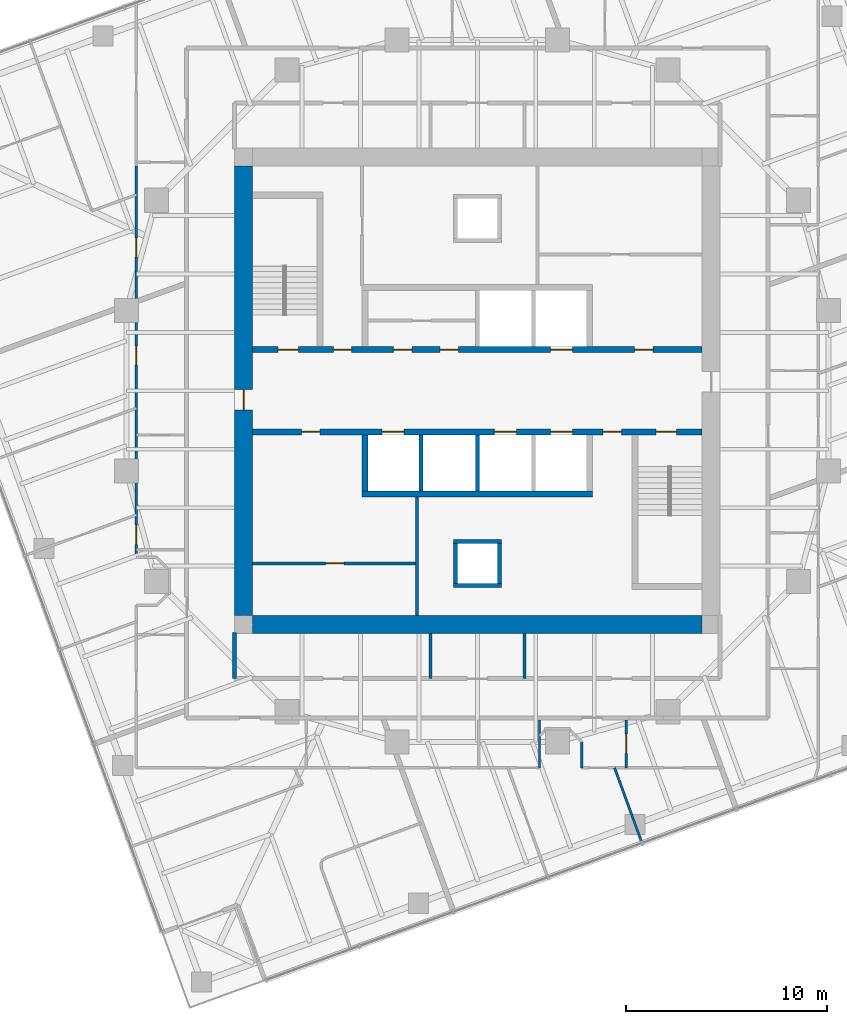
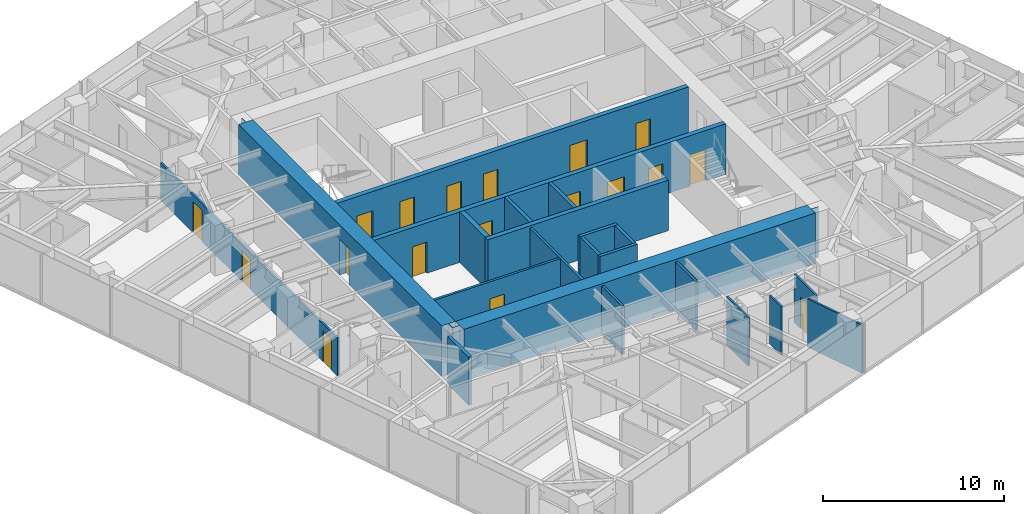
# One storey, part 8 of 13: 22 walls, 18 doors, 18 openings.
"""IFC4 building model written with IfcOpenShell, lengths in metres."""

import ifcopenshell
import ifcopenshell.guid

model = None  # the IFC model being written
_history = None  # IfcOwnerHistory: only IFC2X3 demands one
_inside = {}  # id of a spatial element -> (the spatial element, [elements in it])
_under = {}  # id of a project, library or spatial element -> (it, [spatial elements below it])
_declared = {}  # id of a project -> (the project, [libraries it declares])
_typed = {}  # id of a type object -> (the type object, [elements of that type])
_made_of = {}  # id of a material, layer set ... -> (it, [elements and type objects made of it])


def new_model(schema):
    """Start an empty IFC model of exactly this schema.

    Asked for "IFC4X3", IfcOpenShell would pick the latest addendum, in which some entities
    have other attributes; the version numbers below select the first issue.
    IFC2X3 requires an IfcOwnerHistory on every rooted entity: one is made here for all.
    """
    global model, _history
    if schema == "IFC4X3":
        model = ifcopenshell.file(schema_version=(4, 3, 0, 0))
    else:
        model = ifcopenshell.file(schema=schema)
    _inside.clear()
    _under.clear()
    _declared.clear()
    _typed.clear()
    _made_of.clear()
    _history = None
    if model.schema == "IFC2X3":
        org = make("IfcOrganization", Name="unknown")
        user = make(
            "IfcPersonAndOrganization",
            ThePerson=make("IfcPerson", FamilyName="unknown"),
            TheOrganization=org,
        )
        app = make(
            "IfcApplication",
            ApplicationDeveloper=org,
            Version="unknown",
            ApplicationFullName="unknown",
            ApplicationIdentifier="unknown",
        )
        _history = make(
            "IfcOwnerHistory",
            OwningUser=user,
            OwningApplication=app,
            ChangeAction="ADDED",
            CreationDate=0,
        )
    return model


def make(cls, **values):
    """One entity of the class cls with the attributes given. An attribute that is None is left unset."""
    return model.create_entity(
        cls, **{name: value for name, value in values.items() if value is not None}
    )


def rooted(cls, **values):
    """An entity with a GlobalId (a new one), such as an element, a storey or a relation."""
    return make(cls, GlobalId=ifcopenshell.guid.new(), OwnerHistory=_history, **values)


def si_unit(unit_type, name, prefix=None):
    """IfcSIUnit, for example si_unit("LENGTHUNIT", "METRE", prefix="MILLI")."""
    return make("IfcSIUnit", UnitType=unit_type, Prefix=prefix, Name=name)


def assignment(units):
    """IfcUnitAssignment: the units of a project."""
    return None if units is None else make("IfcUnitAssignment", Units=units)


def point(xyz):
    """IfcCartesianPoint."""
    return None if xyz is None else make("IfcCartesianPoint", Coordinates=xyz)


def direction(xyz):
    """IfcDirection."""
    return None if xyz is None else make("IfcDirection", DirectionRatios=xyz)


def frame(location, z_axis=None, x_axis=None):
    """IfcAxis2Placement3D, a coordinate frame: its origin and axes. An axis left out is left unset."""
    return make(
        "IfcAxis2Placement3D",
        Location=point(location),
        Axis=direction(z_axis),
        RefDirection=direction(x_axis),
    )


def frame_2d(location, x_axis=None):
    """IfcAxis2Placement2D, a coordinate frame in the plane: its origin and x axis."""
    return make(
        "IfcAxis2Placement2D", Location=point(location), RefDirection=direction(x_axis)
    )


def origin():
    """The frame at (0, 0, 0) with its axes left unset."""
    return frame((0.0, 0.0, 0.0))


def place(relative_to, where):
    """IfcLocalPlacement: puts the frame where relative to a parent placement (None: the world)."""
    return make(
        "IfcLocalPlacement", PlacementRelTo=relative_to, RelativePlacement=where
    )


def context(
    kind, dimensions, precision=None, world=None, true_north=None, identifier=None
):
    """IfcGeometricRepresentationContext, for example the 3D "Model" context."""
    return make(
        "IfcGeometricRepresentationContext",
        ContextIdentifier=identifier,
        ContextType=kind,
        CoordinateSpaceDimension=dimensions,
        Precision=precision,
        WorldCoordinateSystem=world,
        TrueNorth=true_north,
    )


def subcontext(parent, identifier, kind, view, scale=None):
    """IfcGeometricRepresentationSubContext, for example "Body" below "Model"."""
    return make(
        "IfcGeometricRepresentationSubContext",
        ContextIdentifier=identifier,
        ContextType=kind,
        ParentContext=parent,
        TargetScale=scale,
        TargetView=view,
    )


def project(units=None, contexts=None):
    """IfcProject with its units and contexts."""
    return rooted(
        "IfcProject",
        Name="project",
        RepresentationContexts=contexts,
        UnitsInContext=assignment(units),
    )


def spatial(cls, under=None, at=None, **own):
    """A site, building, storey or space (cls), placed at a placement, below another one or the project."""
    s = rooted(cls, ObjectPlacement=at, **own)
    if under is not None:
        _under.setdefault(under.id(), (under, []))[1].append(s)
    return s


def polyline(points):
    """IfcPolyline through the points."""
    return make("IfcPolyline", Points=[point(p) for p in points])


def profile(cls, at=None, kind="AREA", **sizes):
    """A parametric profile (cls). Its sizes go by their IFC names, for example OverallWidth=200.0."""
    return make(cls, ProfileType=kind, Position=at, **sizes)


def rectangle(**sizes):
    """IfcRectangleProfileDef."""
    return profile("IfcRectangleProfileDef", **sizes)


def outline(outer, holes=None, kind="AREA"):
    """IfcArbitraryClosedProfileDef: a profile drawn as a closed curve; with holes, ...WithVoids."""
    if holes is None:
        return make("IfcArbitraryClosedProfileDef", ProfileType=kind, OuterCurve=outer)
    return make(
        "IfcArbitraryProfileDefWithVoids",
        ProfileType=kind,
        OuterCurve=outer,
        InnerCurves=holes,
    )


def extrude(swept, where, along, depth):
    """IfcExtrudedAreaSolid: the profile swept, set in the frame where, extruded along a direction by depth."""
    return make(
        "IfcExtrudedAreaSolid",
        SweptArea=swept,
        Position=where,
        ExtrudedDirection=direction(along),
        Depth=depth,
    )


def shape(context_of_items, identifier, shape_type, items):
    """IfcShapeRepresentation: the items that make up one representation, for example the "Body"."""
    return make(
        "IfcShapeRepresentation",
        ContextOfItems=context_of_items,
        RepresentationIdentifier=identifier,
        RepresentationType=shape_type,
        Items=items,
    )


def material(Name=None, Category=None):
    """IfcMaterial."""
    return make("IfcMaterial", Name=Name, Category=Category)


def layer(
    of_material, thickness, ventilated=None, Name=None, Category=None, Priority=None
):
    """IfcMaterialLayer: one layer of a wall or slab, of a material (None: an air gap)."""
    return make(
        "IfcMaterialLayer",
        Material=of_material,
        LayerThickness=thickness,
        IsVentilated=ventilated,
        Name=Name,
        Category=Category,
        Priority=Priority,
    )


def layer_set(layers, Name=None):
    """IfcMaterialLayerSet."""
    return make("IfcMaterialLayerSet", MaterialLayers=layers, LayerSetName=Name)


def made_of(thing, what):
    """Note that an element or type object is made of a material, layer set ...; save() writes the relation."""
    if what is not None:
        _made_of.setdefault(what.id(), (what, []))[1].append(thing)
    return thing


def type_object(cls, material=None, **own):
    """A type object (cls), such as IfcWallType, which elements share."""
    return made_of(rooted(cls, **own), material)


def element(
    cls,
    number,
    at=None,
    inside=None,
    cuts=None,
    type_object=None,
    material=None,
    context=None,
    identifier="Body",
    shape_type=None,
    held_by="IfcProductDefinitionShape",
    body=None,
    shapes=None,
    **own,
):
    """One element of the class cls, such as IfcWall. Its Tag is "e" and its number.

    at: its placement. inside: the storey or other place that contains it. cuts: it is an
    opening in that element (IfcRelVoidsElement). A single representation is given by context,
    identifier, shape_type and body (its items); several are given by shapes. held_by: the class
    of the entity that holds the representations. save() writes the other relations.
    """
    e = rooted(cls, Tag="e%d" % number, ObjectPlacement=at, **own)
    if body is not None:
        shapes = [shape(context, identifier, shape_type, body)]
    if shapes is not None:
        e.Representation = make(held_by, Representations=shapes)
    if inside is not None:
        _inside.setdefault(inside.id(), (inside, []))[1].append(e)
    if cuts is not None:
        rooted(
            "IfcRelVoidsElement", RelatingBuildingElement=cuts, RelatedOpeningElement=e
        )
    if type_object is not None:
        _typed.setdefault(type_object.id(), (type_object, []))[1].append(e)
    return made_of(e, material)


def fill(opening, filler):
    """IfcRelFillsElement: the door or window that sits in an opening."""
    return rooted(
        "IfcRelFillsElement",
        RelatingOpeningElement=opening,
        RelatedBuildingElement=filler,
    )


def aggregate(whole, parts):
    """IfcRelAggregates: a whole, such as a stair, and the parts it consists of."""
    return rooted("IfcRelAggregates", RelatingObject=whole, RelatedObjects=parts)


def save(model, path):
    """Write the relations noted so far, then the file.

    IfcRelAggregates (storeys below a building ...), IfcRelContainedInSpatialStructure (elements
    in a storey), IfcRelDefinesByType, IfcRelAssociatesMaterial and IfcRelDeclares: one each for
    every whole, place, type object, material and project.
    """
    for whole, parts in _under.values():
        aggregate(whole, parts)
    for where, things in _inside.values():
        rooted(
            "IfcRelContainedInSpatialStructure",
            RelatedElements=things,
            RelatingStructure=where,
        )
    for kind, things in _typed.values():
        rooted("IfcRelDefinesByType", RelatedObjects=things, RelatingType=kind)
    for what, things in _made_of.values():
        rooted("IfcRelAssociatesMaterial", RelatedObjects=things, RelatingMaterial=what)
    for by, libraries in _declared.values():
        rooted("IfcRelDeclares", RelatingContext=by, RelatedDefinitions=libraries)
    model.write(path)


model = new_model("IFC4")

# Units and contexts
model_context = context("Model", 3, precision=1e-05, world=origin(), true_north=direction((0.0, 1.0)))
body_context = subcontext(model_context, "Body", "Model", "MODEL_VIEW")
ifc_project = project(units=[si_unit("LENGTHUNIT", "METRE"), si_unit("AREAUNIT", "SQUARE_METRE"), si_unit("VOLUMEUNIT", "CUBIC_METRE"), si_unit("PLANEANGLEUNIT", "RADIAN"), si_unit("MASSUNIT", "GRAM", prefix="KILO")], contexts=[model_context])

# Site, building, storey
site_placement = place(None, origin())
site = spatial("IfcSite", under=ifc_project, at=site_placement, CompositionType="ELEMENT")
building_placement = place(site_placement, origin())
building = spatial("IfcBuilding", under=site, at=building_placement, Name="Torsade Residences", CompositionType="ELEMENT")
storey_placement = place(building_placement, frame((0.0, 0.0, 160.800048828125)))
storey = spatial("IfcBuildingStorey", under=building, at=storey_placement, Name="L44", CompositionType="ELEMENT", Elevation=160.800048828125)

# Wall, openings, doors
ifc_material_1 = material(Name="Concrete 80 MPa", Category="concrete")
ifc_layer_1 = layer(ifc_material_1, 0.300048828125)
ifc_layer_set_1 = layer_set([ifc_layer_1], Name="Concrete 80 MPa")
wall_type_1 = type_object("IfcWallType", Name="CORE INTERNAL WALL 300", PredefinedType="SHEAR", material=ifc_layer_set_1)
wall_1_placement = place(storey_placement, frame((28.800048828125, 32.050048828125, 0.0), z_axis=(0.0, 0.0, 1.0), x_axis=(1.0, 0.0, 0.0)))
wall_1 = element("IfcWall", 1, at=wall_1_placement, inside=storey, type_object=wall_type_1, Name="Core wall LN L44", PredefinedType="SHEAR", context=body_context, shape_type="SweptSolid", body=[
    extrude(rectangle(XDim=22.39990234375, YDim=0.300048828125, at=frame_2d((11.199951171875, 0.0))), origin(), (0.0, 0.0, 1.0), 3.39990234375),
])
opening_1_placement = place(wall_1_placement, frame((19.0400390625, 0.0, 0.0)))
opening_1 = element("IfcOpeningElement", 2, at=opening_1_placement, cuts=wall_1, Name="Opening D06", PredefinedType="OPENING", context=body_context, shape_type="SweptSolid", body=[
    extrude(rectangle(XDim=0.919921875, YDim=2.10009765625, at=frame_2d((0.4599609375, 1.050048828125))), frame((0.0, 0.159912109375, 0.0), z_axis=(0.0, -1.0, 0.0), x_axis=(1.0, 0.0, 0.0)), (0.0, 0.0, 1.0), 0.320068359375),
])
opening_2_placement = place(wall_1_placement, frame((1.264892578125, 0.0, 0.0)))
opening_2 = element("IfcOpeningElement", 3, at=opening_2_placement, cuts=wall_1, Name="Opening D03", PredefinedType="OPENING", context=body_context, shape_type="SweptSolid", body=[
    extrude(rectangle(XDim=1.02001953125, YDim=2.10009765625, at=frame_2d((0.510009765625, 1.050048828125))), frame((0.0, 0.159912109375, 0.0), z_axis=(0.0, -1.0, 0.0), x_axis=(1.0, 0.0, 0.0)), (0.0, 0.0, 1.0), 0.320068359375),
])
opening_3_placement = place(wall_1_placement, frame((4.014892578125, 0.0, 0.0)))
opening_3 = element("IfcOpeningElement", 4, at=opening_3_placement, cuts=wall_1, Name="Opening D06", PredefinedType="OPENING", context=body_context, shape_type="SweptSolid", body=[
    extrude(rectangle(XDim=0.919921875, YDim=2.10009765625, at=frame_2d((0.4599609375, 1.050048828125))), frame((0.0, 0.159912109375, 0.0), z_axis=(0.0, -1.0, 0.0), x_axis=(1.0, 0.0, 0.0)), (0.0, 0.0, 1.0), 0.320068359375),
])
opening_4_placement = place(wall_1_placement, frame((7.014892578125, 0.0, 0.0)))
opening_4 = element("IfcOpeningElement", 5, at=opening_4_placement, cuts=wall_1, Name="Opening D06", PredefinedType="OPENING", context=body_context, shape_type="SweptSolid", body=[
    extrude(rectangle(XDim=0.919921875, YDim=2.10009765625, at=frame_2d((0.4599609375, 1.050048828125))), frame((0.0, 0.159912109375, 0.0), z_axis=(0.0, -1.0, 0.0), x_axis=(1.0, 0.0, 0.0)), (0.0, 0.0, 1.0), 0.320068359375),
])
opening_5_placement = place(wall_1_placement, frame((9.340087890625, 0.0, 0.0)))
opening_5 = element("IfcOpeningElement", 6, at=opening_5_placement, cuts=wall_1, Name="Opening D06", PredefinedType="OPENING", context=body_context, shape_type="SweptSolid", body=[
    extrude(rectangle(XDim=0.919921875, YDim=2.10009765625, at=frame_2d((0.4599609375, 1.050048828125))), frame((0.0, 0.159912109375, 0.0), z_axis=(0.0, -1.0, 0.0), x_axis=(1.0, 0.0, 0.0)), (0.0, 0.0, 1.0), 0.320068359375),
])
opening_6_placement = place(wall_1_placement, frame((14.85009765625, 0.0, 0.0)))
opening_6 = element("IfcOpeningElement", 7, at=opening_6_placement, cuts=wall_1, Name="Opening LD", PredefinedType="OPENING", context=body_context, shape_type="SweptSolid", body=[
    extrude(rectangle(XDim=1.10009765625, YDim=2.10009765625, at=frame_2d((0.550048828125, 1.050048828125))), frame((0.0, 0.159912109375, 0.0), z_axis=(0.0, -1.0, 0.0), x_axis=(1.0, 0.0, 0.0)), (0.0, 0.0, 1.0), 0.320068359375),
])
ifc_material_2 = material(Name="Steel-framed fire door", Category="steel")
door_type_1 = type_object("IfcDoorType", Name="FIRE DOOR 1020", OperationType="NOTDEFINED", PredefinedType="DOOR", material=ifc_material_2)
door_1_placement = place(opening_2_placement, origin())
door_1 = element("IfcDoor", 8, at=door_1_placement, inside=storey, type_object=door_type_1, Name="Exit door to fire-isolated stair ST1 L44", OperationType="SINGLE_SWING_RIGHT", OverallHeight=2.10009765625, OverallWidth=1.02001953125, PredefinedType="DOOR", context=body_context, shape_type="SweptSolid", body=[
    extrude(rectangle(XDim=1.02001953125, YDim=2.10009765625, at=frame_2d((0.510009765625, 1.050048828125))), frame((0.0, 0.02490234375, 0.0), z_axis=(0.0, -1.0, 0.0), x_axis=(1.0, 0.0, 0.0)), (0.0, 0.0, 1.0), 0.050048828125),
])
fill(opening_2, door_1)
ifc_material_3 = material(Name="Steel-framed fire door", Category="steel")
door_type_2 = type_object("IfcDoorType", Name="FIRE DOOR 920", OperationType="NOTDEFINED", PredefinedType="DOOR", material=ifc_material_3)
door_2_placement = place(opening_1_placement, origin())
door_2 = element("IfcDoor", 9, at=door_2_placement, inside=storey, type_object=door_type_2, Name="Door Lift lobby to Refuse room", OperationType="SINGLE_SWING_LEFT", OverallHeight=2.10009765625, OverallWidth=0.919921875, PredefinedType="DOOR", context=body_context, shape_type="SweptSolid", body=[
    extrude(rectangle(XDim=0.919921875, YDim=2.10009765625, at=frame_2d((0.4599609375, 1.050048828125))), frame((0.0, 0.02490234375, 0.0), z_axis=(0.0, -1.0, 0.0), x_axis=(1.0, 0.0, 0.0)), (0.0, 0.0, 1.0), 0.050048828125),
])
fill(opening_1, door_2)
door_3_placement = place(opening_3_placement, origin())
door_3 = element("IfcDoor", 10, at=door_3_placement, inside=storey, type_object=door_type_2, Name="Door Lift lobby to Main switchboard store", OperationType="SINGLE_SWING_LEFT", OverallHeight=2.10009765625, OverallWidth=0.919921875, PredefinedType="DOOR", context=body_context, shape_type="SweptSolid", body=[
    extrude(rectangle(XDim=0.919921875, YDim=2.10009765625, at=frame_2d((0.4599609375, 1.050048828125))), frame((0.0, 0.02490234375, 0.0), z_axis=(0.0, -1.0, 0.0), x_axis=(1.0, 0.0, 0.0)), (0.0, 0.0, 1.0), 0.050048828125),
])
fill(opening_3, door_3)
door_4_placement = place(opening_4_placement, origin())
door_4 = element("IfcDoor", 11, at=door_4_placement, inside=storey, type_object=door_type_2, Name="Door Lift lobby to Communications room L44A", OperationType="SINGLE_SWING_RIGHT", OverallHeight=2.10009765625, OverallWidth=0.919921875, PredefinedType="DOOR", context=body_context, shape_type="SweptSolid", body=[
    extrude(rectangle(XDim=0.919921875, YDim=2.10009765625, at=frame_2d((0.4599609375, 1.050048828125))), frame((0.0, 0.02490234375, 0.0), z_axis=(0.0, -1.0, 0.0), x_axis=(1.0, 0.0, 0.0)), (0.0, 0.0, 1.0), 0.050048828125),
])
fill(opening_4, door_4)
door_5_placement = place(opening_5_placement, origin())
door_5 = element("IfcDoor", 12, at=door_5_placement, inside=storey, type_object=door_type_2, Name="Door Lift lobby to Communications room L44A", OperationType="SINGLE_SWING_RIGHT", OverallHeight=2.10009765625, OverallWidth=0.919921875, PredefinedType="DOOR", context=body_context, shape_type="SweptSolid", body=[
    extrude(rectangle(XDim=0.919921875, YDim=2.10009765625, at=frame_2d((0.4599609375, 1.050048828125))), frame((0.0, 0.02490234375, 0.0), z_axis=(0.0, -1.0, 0.0), x_axis=(1.0, 0.0, 0.0)), (0.0, 0.0, 1.0), 0.050048828125),
])
fill(opening_5, door_5)
ifc_material_4 = material(Name="Stainless steel lift landing door", Category="steel")
door_type_3 = type_object("IfcDoorType", Name="LIFT LANDING DOOR 1100", OperationType="SLIDING_TO_LEFT", PredefinedType="DOOR", material=ifc_material_4)
door_6_placement = place(opening_6_placement, origin())
door_6 = element("IfcDoor", 13, at=door_6_placement, inside=storey, type_object=door_type_3, Name="Lift FL1 landing door L44", OperationType="SLIDING_TO_LEFT", OverallHeight=2.10009765625, OverallWidth=1.10009765625, PredefinedType="DOOR", context=body_context, shape_type="SweptSolid", body=[
    extrude(rectangle(XDim=1.10009765625, YDim=2.10009765625, at=frame_2d((0.550048828125, 1.050048828125))), frame((0.0, 0.02490234375, 0.0), z_axis=(0.0, -1.0, 0.0), x_axis=(1.0, 0.0, 0.0)), (0.0, 0.0, 1.0), 0.050048828125),
])
fill(opening_6, door_6)

wall_2_placement = place(storey_placement, frame((51.199951171875, 27.949951171875, 0.0), z_axis=(0.0, 0.0, 1.0), x_axis=(-1.0, 0.0, 0.0)))
wall_2 = element("IfcWall", 14, at=wall_2_placement, inside=storey, type_object=wall_type_1, Name="Core wall LS L44", PredefinedType="SHEAR", context=body_context, shape_type="SweptSolid", body=[
    extrude(rectangle(XDim=22.39990234375, YDim=0.300048828125, at=frame_2d((11.199951171875, 0.0))), origin(), (0.0, 0.0, 1.0), 3.39990234375),
])
opening_7_placement = place(wall_2_placement, frame((19.0400390625, 0.0, 0.0)))
opening_7 = element("IfcOpeningElement", 15, at=opening_7_placement, cuts=wall_2, Name="Opening D06", PredefinedType="OPENING", context=body_context, shape_type="SweptSolid", body=[
    extrude(rectangle(XDim=0.919921875, YDim=2.10009765625, at=frame_2d((0.4599609375, 1.050048828125))), frame((0.0, 0.159912109375, 0.0), z_axis=(0.0, -1.0, 0.0), x_axis=(1.0, 0.0, 0.0)), (0.0, 0.0, 1.0), 0.320068359375),
])
opening_8_placement = place(wall_2_placement, frame((1.264892578125, 0.0, 0.0)))
opening_8 = element("IfcOpeningElement", 16, at=opening_8_placement, cuts=wall_2, Name="Opening D03", PredefinedType="OPENING", context=body_context, shape_type="SweptSolid", body=[
    extrude(rectangle(XDim=1.02001953125, YDim=2.10009765625, at=frame_2d((0.510009765625, 1.050048828125))), frame((0.0, 0.159912109375, 0.0), z_axis=(0.0, -1.0, 0.0), x_axis=(1.0, 0.0, 0.0)), (0.0, 0.0, 1.0), 0.320068359375),
])
opening_9_placement = place(wall_2_placement, frame((4.014892578125, 0.0, 0.0)))
opening_9 = element("IfcOpeningElement", 17, at=opening_9_placement, cuts=wall_2, Name="Opening D06", PredefinedType="OPENING", context=body_context, shape_type="SweptSolid", body=[
    extrude(rectangle(XDim=0.919921875, YDim=2.10009765625, at=frame_2d((0.4599609375, 1.050048828125))), frame((0.0, 0.159912109375, 0.0), z_axis=(0.0, -1.0, 0.0), x_axis=(1.0, 0.0, 0.0)), (0.0, 0.0, 1.0), 0.320068359375),
])
opening_10_placement = place(wall_2_placement, frame((6.449951171875, 0.0, 0.0)))
opening_10 = element("IfcOpeningElement", 18, at=opening_10_placement, cuts=wall_2, Name="Opening LD", PredefinedType="OPENING", context=body_context, shape_type="SweptSolid", body=[
    extrude(rectangle(XDim=1.10009765625, YDim=2.10009765625, at=frame_2d((0.550048828125, 1.050048828125))), frame((0.0, 0.159912109375, 0.0), z_axis=(0.0, -1.0, 0.0), x_axis=(1.0, 0.0, 0.0)), (0.0, 0.0, 1.0), 0.320068359375),
])
opening_11_placement = place(wall_2_placement, frame((9.25, 0.0, 0.0)))
opening_11 = element("IfcOpeningElement", 19, at=opening_11_placement, cuts=wall_2, Name="Opening LD", PredefinedType="OPENING", context=body_context, shape_type="SweptSolid", body=[
    extrude(rectangle(XDim=1.10009765625, YDim=2.10009765625, at=frame_2d((0.550048828125, 1.050048828125))), frame((0.0, 0.159912109375, 0.0), z_axis=(0.0, -1.0, 0.0), x_axis=(1.0, 0.0, 0.0)), (0.0, 0.0, 1.0), 0.320068359375),
])
opening_12_placement = place(wall_2_placement, frame((14.85009765625, 0.0, 0.0)))
opening_12 = element("IfcOpeningElement", 20, at=opening_12_placement, cuts=wall_2, Name="Opening LD", PredefinedType="OPENING", context=body_context, shape_type="SweptSolid", body=[
    extrude(rectangle(XDim=1.10009765625, YDim=2.10009765625, at=frame_2d((0.550048828125, 1.050048828125))), frame((0.0, 0.159912109375, 0.0), z_axis=(0.0, -1.0, 0.0), x_axis=(1.0, 0.0, 0.0)), (0.0, 0.0, 1.0), 0.320068359375),
])
door_7_placement = place(opening_8_placement, origin())
door_7 = element("IfcDoor", 21, at=door_7_placement, inside=storey, type_object=door_type_1, Name="Exit door to fire-isolated stair ST2 L44", OperationType="SINGLE_SWING_RIGHT", OverallHeight=2.10009765625, OverallWidth=1.02001953125, PredefinedType="DOOR", context=body_context, shape_type="SweptSolid", body=[
    extrude(rectangle(XDim=1.02001953125, YDim=2.10009765625, at=frame_2d((0.510009765625, 1.050048828125))), frame((0.0, 0.02490234375, 0.0), z_axis=(0.0, -1.0, 0.0), x_axis=(1.0, 0.0, 0.0)), (0.0, 0.0, 1.0), 0.050048828125),
])
fill(opening_8, door_7)
door_8_placement = place(opening_7_placement, origin())
door_8 = element("IfcDoor", 22, at=door_8_placement, inside=storey, type_object=door_type_2, Name="Door Lift lobby to Cleaner store", OperationType="SINGLE_SWING_LEFT", OverallHeight=2.10009765625, OverallWidth=0.919921875, PredefinedType="DOOR", context=body_context, shape_type="SweptSolid", body=[
    extrude(rectangle(XDim=0.919921875, YDim=2.10009765625, at=frame_2d((0.4599609375, 1.050048828125))), frame((0.0, 0.02490234375, 0.0), z_axis=(0.0, -1.0, 0.0), x_axis=(1.0, 0.0, 0.0)), (0.0, 0.0, 1.0), 0.050048828125),
])
fill(opening_7, door_8)
door_9_placement = place(opening_9_placement, origin())
door_9 = element("IfcDoor", 23, at=door_9_placement, inside=storey, type_object=door_type_2, Name="Door Lift lobby to Communications riser room", OperationType="SINGLE_SWING_RIGHT", OverallHeight=2.10009765625, OverallWidth=0.919921875, PredefinedType="DOOR", context=body_context, shape_type="SweptSolid", body=[
    extrude(rectangle(XDim=0.919921875, YDim=2.10009765625, at=frame_2d((0.4599609375, 1.050048828125))), frame((0.0, 0.02490234375, 0.0), z_axis=(0.0, -1.0, 0.0), x_axis=(1.0, 0.0, 0.0)), (0.0, 0.0, 1.0), 0.050048828125),
])
fill(opening_9, door_9)
door_10_placement = place(opening_10_placement, origin())
door_10 = element("IfcDoor", 24, at=door_10_placement, inside=storey, type_object=door_type_3, Name="Lift LB1 landing door L44", OperationType="SLIDING_TO_LEFT", OverallHeight=2.10009765625, OverallWidth=1.10009765625, PredefinedType="DOOR", context=body_context, shape_type="SweptSolid", body=[
    extrude(rectangle(XDim=1.10009765625, YDim=2.10009765625, at=frame_2d((0.550048828125, 1.050048828125))), frame((0.0, 0.02490234375, 0.0), z_axis=(0.0, -1.0, 0.0), x_axis=(1.0, 0.0, 0.0)), (0.0, 0.0, 1.0), 0.050048828125),
])
fill(opening_10, door_10)
door_11_placement = place(opening_11_placement, origin())
door_11 = element("IfcDoor", 25, at=door_11_placement, inside=storey, type_object=door_type_3, Name="Lift LB2 landing door L44", OperationType="SLIDING_TO_LEFT", OverallHeight=2.10009765625, OverallWidth=1.10009765625, PredefinedType="DOOR", context=body_context, shape_type="SweptSolid", body=[
    extrude(rectangle(XDim=1.10009765625, YDim=2.10009765625, at=frame_2d((0.550048828125, 1.050048828125))), frame((0.0, 0.02490234375, 0.0), z_axis=(0.0, -1.0, 0.0), x_axis=(1.0, 0.0, 0.0)), (0.0, 0.0, 1.0), 0.050048828125),
])
fill(opening_11, door_11)
door_12_placement = place(opening_12_placement, origin())
door_12 = element("IfcDoor", 26, at=door_12_placement, inside=storey, type_object=door_type_3, Name="Lift FL2 landing door L44", OperationType="SLIDING_TO_LEFT", OverallHeight=2.10009765625, OverallWidth=1.10009765625, PredefinedType="DOOR", context=body_context, shape_type="SweptSolid", body=[
    extrude(rectangle(XDim=1.10009765625, YDim=2.10009765625, at=frame_2d((0.550048828125, 1.050048828125))), frame((0.0, 0.02490234375, 0.0), z_axis=(0.0, -1.0, 0.0), x_axis=(1.0, 0.0, 0.0)), (0.0, 0.0, 1.0), 0.050048828125),
])
fill(opening_12, door_12)

# Walls
wall_3_placement = place(storey_placement, frame((45.75, 24.85009765625, 0.0), z_axis=(0.0, 0.0, 1.0), x_axis=(-1.0, 0.0, 0.0)))
element("IfcWall", 27, at=wall_3_placement, inside=storey, type_object=wall_type_1, Name="Core wall BS L44", PredefinedType="SHEAR", context=body_context, shape_type="SweptSolid", body=[
    extrude(rectangle(XDim=11.5, YDim=0.300048828125, at=frame_2d((5.75, 0.0))), origin(), (0.0, 0.0, 1.0), 3.39990234375),
])
wall_4_placement = place(storey_placement, frame((34.39990234375, 27.800048828125, 0.0), z_axis=(0.0, 0.0, 1.0), x_axis=(0.0, -1.0, 0.0)))
element("IfcWall", 28, at=wall_4_placement, inside=storey, type_object=wall_type_1, Name="Core wall DS4 L44", PredefinedType="SHEAR", context=body_context, shape_type="SweptSolid", body=[
    extrude(rectangle(XDim=2.800048828125, YDim=0.300048828125, at=frame_2d((1.39990234375, 0.0))), origin(), (0.0, 0.0, 1.0), 3.39990234375),
])
ifc_material_5 = material(Name="Concrete 80 MPa", Category="concrete")
ifc_layer_2 = layer(ifc_material_5, 0.89990234375)
ifc_layer_set_2 = layer_set([ifc_layer_2], Name="Concrete 80 MPa")
wall_type_2 = type_object("IfcWallType", Name="CORE WALL 900", PredefinedType="SHEAR", material=ifc_layer_set_2)
wall_5_placement = place(storey_placement, frame((51.199951171875, 18.35009765625, 0.0), z_axis=(0.0, 0.0, 1.0), x_axis=(-1.0, 0.0, 0.0)))
element("IfcWall", 29, at=wall_5_placement, inside=storey, type_object=wall_type_2, Name="Core wall S L44", PredefinedType="SHEAR", context=body_context, shape_type="SweptSolid", body=[
    extrude(outline(polyline([(0.0, -0.449951171875), (22.39990234375, -0.449951171875), (22.39990234375, -0.02490234375), (22.849853515625, -0.02490234375), (22.849853515625, 0.02490234375), (22.39990234375, 0.02490234375), (22.39990234375, 0.449951171875), (0.0, 0.449951171875), (0.0, 0.02490234375), (-0.449951171875, 0.02490234375), (-0.449951171875, -0.02490234375), (0.0, -0.02490234375), (0.0, -0.449951171875)])), origin(), (0.0, 0.0, 1.0), 3.39990234375),
])

# Wall, opening, door
wall_6_placement = place(storey_placement, frame((28.35009765625, 41.199951171875, 0.0), z_axis=(0.0, 0.0, 1.0), x_axis=(0.0, -1.0, 0.0)))
wall_6 = element("IfcWall", 30, at=wall_6_placement, inside=storey, type_object=wall_type_2, Name="Core wall W L44", PredefinedType="SHEAR", context=body_context, shape_type="SweptSolid", body=[
    extrude(outline(polyline([(0.0, -0.449951171875), (22.39990234375, -0.449951171875), (22.39990234375, -0.02490234375), (22.849853515625, -0.02490234375), (22.849853515625, 0.02490234375), (22.39990234375, 0.02490234375), (22.39990234375, 0.449951171875), (0.0, 0.449951171875), (0.0, 0.02490234375), (-0.449951171875, 0.02490234375), (-0.449951171875, -0.02490234375), (0.0, -0.02490234375), (0.0, -0.449951171875)])), origin(), (0.0, 0.0, 1.0), 3.39990234375),
])
opening_13_placement = place(wall_6_placement, frame((11.139892578125, 0.0, 0.0)))
opening_13 = element("IfcOpeningElement", 31, at=opening_13_placement, cuts=wall_6, Name="Opening D04", PredefinedType="OPENING", context=body_context, shape_type="SweptSolid", body=[
    extrude(rectangle(XDim=1.02001953125, YDim=2.39990234375, at=frame_2d((0.510009765625, 1.199951171875))), frame((0.0, 0.4599609375, 0.0), z_axis=(0.0, -1.0, 0.0), x_axis=(1.0, 0.0, 0.0)), (0.0, 0.0, 1.0), 0.919921875),
])
ifc_material_6 = material(Name="Steel-framed fire door", Category="steel")
door_type_4 = type_object("IfcDoorType", Name="LOBBY SMOKE DOOR 1020x2400", OperationType="NOTDEFINED", PredefinedType="DOOR", material=ifc_material_6)
door_13_placement = place(opening_13_placement, origin())
door_13 = element("IfcDoor", 32, at=door_13_placement, inside=storey, type_object=door_type_4, Name="Lift lobby door W L44", OperationType="SINGLE_SWING_RIGHT", OverallHeight=2.39990234375, OverallWidth=1.02001953125, PredefinedType="DOOR", context=body_context, shape_type="SweptSolid", body=[
    extrude(rectangle(XDim=1.02001953125, YDim=2.39990234375, at=frame_2d((0.510009765625, 1.199951171875))), frame((0.0, 0.02490234375, 0.0), z_axis=(0.0, -1.0, 0.0), x_axis=(1.0, 0.0, 0.0)), (0.0, 0.0, 1.0), 0.050048828125),
])
fill(opening_13, door_13)

# Walls
ifc_material_7 = material(Name="Plasterboard on steel stud", Category="steel")
ifc_layer_3 = layer(ifc_material_7, 0.199951171875)
ifc_layer_set_3 = layer_set([ifc_layer_3], Name="Plasterboard on steel stud")
wall_type_3 = type_object("IfcWallType", Name="CORRIDOR WALL 200", PredefinedType="PARTITIONING", material=ifc_layer_set_3)
wall_7_placement = place(storey_placement, frame((27.89990234375, 17.949951171875, 0.0), z_axis=(0.0, 0.0, 1.0), x_axis=(0.0, -1.0, 0.0)))
element("IfcWall", 33, at=wall_7_placement, inside=storey, type_object=wall_type_3, Name="Corridor wall L44", PredefinedType="PARTITIONING", context=body_context, shape_type="SweptSolid", body=[
    extrude(rectangle(XDim=2.300048828125, YDim=0.199951171875, at=frame_2d((1.14990234375, 0.0))), origin(), (0.0, 0.0, 1.0), 3.25),
])
ifc_material_8 = material(Name="Reinforced blockwork", Category="masonry")
ifc_layer_4 = layer(ifc_material_8, 0.199951171875)
ifc_layer_set_4 = layer_set([ifc_layer_4], Name="Reinforced blockwork")
wall_type_4 = type_object("IfcWallType", Name="LIFT SHAFT DIVIDING WALL 200", PredefinedType="SOLIDWALL", material=ifc_layer_set_4)
for number, where, z_axis, x_axis, name in (
    (34, (40.0, 27.800048828125, 0.0), (0.0, 0.0, 1.0), (0.0, -1.0, 0.0), "Core wall DS2 L44"),
    (35, (37.199951171875, 27.800048828125, 0.0), (0.0, 0.0, 1.0), (0.0, -1.0, 0.0), "Core wall DS3 L44"),
):
    element("IfcWall", number, at=place(storey_placement, frame(where, z_axis=z_axis, x_axis=x_axis)), inside=storey, type_object=wall_type_4, Name=name, PredefinedType="SOLIDWALL", context=body_context, shape_type="SweptSolid", body=[
        extrude(rectangle(XDim=2.800048828125, YDim=0.199951171875, at=frame_2d((1.39990234375, 0.0))), origin(), (0.0, 0.0, 1.0), 3.39990234375),
    ])

# Wall, openings, doors
ifc_material_9 = material(Name="Plasterboard on steel stud", Category="steel")
ifc_layer_5 = layer(ifc_material_9, 0.1201171875)
ifc_layer_set_5 = layer_set([ifc_layer_5], Name="Plasterboard on steel stud")
wall_type_5 = type_object("IfcWallType", Name="PARTITION 120", PredefinedType="PARTITIONING", material=ifc_layer_set_5)
wall_8_placement = place(storey_placement, frame((23.0, 21.699951171875, 0.0), z_axis=(0.0, 0.0, 1.0), x_axis=(0.0, 1.0, 0.0)))
wall_8 = element("IfcWall", 36, at=wall_8_placement, inside=storey, type_object=wall_type_5, Name="Partition L44", PredefinedType="PARTITIONING", context=body_context, shape_type="SweptSolid", body=[
    extrude(rectangle(XDim=19.51220703125, YDim=0.1201171875, at=frame_2d((9.756103515625, 0.0))), origin(), (0.0, 0.0, 1.0), 2.550048828125),
])
opening_14_placement = place(wall_8_placement, frame((14.961181640625, 0.0, 0.0)))
opening_14 = element("IfcOpeningElement", 37, at=opening_14_placement, cuts=wall_8, Name="Opening D05", PredefinedType="OPENING", context=body_context, shape_type="SweptSolid", body=[
    extrude(rectangle(XDim=0.9599609375, YDim=2.10009765625, at=frame_2d((0.47998046875, 1.050048828125))), frame((0.0, 0.070068359375, 0.0), z_axis=(0.0, -1.0, 0.0), x_axis=(1.0, 0.0, 0.0)), (0.0, 0.0, 1.0), 0.14013671875),
])
opening_15_placement = place(wall_8_placement, frame((0.64111328125, 0.0, 0.0)))
opening_15 = element("IfcOpeningElement", 38, at=opening_15_placement, cuts=wall_8, Name="Opening D05", PredefinedType="OPENING", context=body_context, shape_type="SweptSolid", body=[
    extrude(rectangle(XDim=0.9599609375, YDim=2.10009765625, at=frame_2d((0.47998046875, 1.050048828125))), frame((0.0, 0.070068359375, 0.0), z_axis=(0.0, -1.0, 0.0), x_axis=(1.0, 0.0, 0.0)), (0.0, 0.0, 1.0), 0.14013671875),
])
opening_16_placement = place(wall_8_placement, frame((9.587158203125, 0.0, 0.0)))
opening_16 = element("IfcOpeningElement", 39, at=opening_16_placement, cuts=wall_8, Name="Opening D05", PredefinedType="OPENING", context=body_context, shape_type="SweptSolid", body=[
    extrude(rectangle(XDim=0.9599609375, YDim=2.10009765625, at=frame_2d((0.47998046875, 1.050048828125))), frame((0.0, 0.070068359375, 0.0), z_axis=(0.0, -1.0, 0.0), x_axis=(1.0, 0.0, 0.0)), (0.0, 0.0, 1.0), 0.14013671875),
])
ifc_material_10 = material(Name="Hollow-core timber door in a steel cavity frame", Category="steel")
door_type_5 = type_object("IfcDoorType", Name="BATHROOM CAVITY SLIDING DOOR 960", OperationType="SLIDING_TO_LEFT", PredefinedType="DOOR", material=ifc_material_10)
door_14_placement = place(opening_14_placement, origin())
door_14 = element("IfcDoor", 40, at=door_14_placement, inside=storey, type_object=door_type_5, Name="Door Bathroom to Living room", OperationType="SLIDING_TO_LEFT", OverallHeight=2.10009765625, OverallWidth=0.9599609375, PredefinedType="DOOR", context=body_context, shape_type="SweptSolid", body=[
    extrude(rectangle(XDim=0.9599609375, YDim=2.10009765625, at=frame_2d((0.47998046875, 1.050048828125))), frame((0.0, 0.02490234375, 0.0), z_axis=(0.0, -1.0, 0.0), x_axis=(1.0, 0.0, 0.0)), (0.0, 0.0, 1.0), 0.050048828125),
])
fill(opening_14, door_14)
door_15_placement = place(opening_15_placement, origin())
door_15 = element("IfcDoor", 41, at=door_15_placement, inside=storey, type_object=door_type_5, Name="Door Bedroom 2 to Ensuite", OperationType="SLIDING_TO_LEFT", OverallHeight=2.10009765625, OverallWidth=0.9599609375, PredefinedType="DOOR", context=body_context, shape_type="SweptSolid", body=[
    extrude(rectangle(XDim=0.9599609375, YDim=2.10009765625, at=frame_2d((0.47998046875, 1.050048828125))), frame((0.0, 0.02490234375, 0.0), z_axis=(0.0, -1.0, 0.0), x_axis=(1.0, 0.0, 0.0)), (0.0, 0.0, 1.0), 0.050048828125),
])
fill(opening_15, door_15)
door_16_placement = place(opening_16_placement, origin())
door_16 = element("IfcDoor", 42, at=door_16_placement, inside=storey, type_object=door_type_5, Name="Door Bathroom to Living room", OperationType="SLIDING_TO_LEFT", OverallHeight=2.10009765625, OverallWidth=0.9599609375, PredefinedType="DOOR", context=body_context, shape_type="SweptSolid", body=[
    extrude(rectangle(XDim=0.9599609375, YDim=2.10009765625, at=frame_2d((0.47998046875, 1.050048828125))), frame((0.0, 0.02490234375, 0.0), z_axis=(0.0, -1.0, 0.0), x_axis=(1.0, 0.0, 0.0)), (0.0, 0.0, 1.0), 0.050048828125),
])
fill(opening_16, door_16)

# Walls
wall_9_placement = place(storey_placement, frame((43.097900390625, 11.199951171875, 0.0), z_axis=(0.0, 0.0, 1.0), x_axis=(0.0, 1.0, 0.0)))
element("IfcWall", 43, at=wall_9_placement, inside=storey, type_object=wall_type_5, Name="Partition L44", PredefinedType="PARTITIONING", context=body_context, shape_type="SweptSolid", body=[
    extrude(rectangle(XDim=2.400146484375, YDim=0.1201171875, at=frame_2d((1.2001953125, 0.0))), origin(), (0.0, 0.0, 1.0), 3.25),
])
wall_10_placement = place(storey_placement, frame((45.199951171875, 11.199951171875, 0.0), z_axis=(0.0, 0.0, 1.0), x_axis=(0.0, 1.0, 0.0)))
element("IfcWall", 44, at=wall_10_placement, inside=storey, type_object=wall_type_5, Name="Partition L44", PredefinedType="PARTITIONING", context=body_context, shape_type="SweptSolid", body=[
    extrude(rectangle(XDim=1.300048828125, YDim=0.1201171875, at=frame_2d((0.64990234375, 0.0))), origin(), (0.0, 0.0, 1.0), 3.25),
])

# Wall, opening, door
wall_11_placement = place(storey_placement, frame((47.416015625, 13.60009765625, 0.0), z_axis=(0.0, 0.0, 1.0), x_axis=(0.0, -1.0, 0.0)))
wall_11 = element("IfcWall", 45, at=wall_11_placement, inside=storey, type_object=wall_type_5, Name="Partition L44", PredefinedType="PARTITIONING", context=body_context, shape_type="SweptSolid", body=[
    extrude(rectangle(XDim=2.400146484375, YDim=0.1201171875, at=frame_2d((1.2001953125, 0.0))), origin(), (0.0, 0.0, 1.0), 3.25),
])
opening_17_placement = place(wall_11_placement, frame((0.719970703125, 0.0, 0.0)))
opening_17 = element("IfcOpeningElement", 46, at=opening_17_placement, cuts=wall_11, Name="Opening D05", PredefinedType="OPENING", context=body_context, shape_type="SweptSolid", body=[
    extrude(rectangle(XDim=0.9599609375, YDim=2.10009765625, at=frame_2d((0.47998046875, 1.050048828125))), frame((0.0, 0.070068359375, 0.0), z_axis=(0.0, -1.0, 0.0), x_axis=(1.0, 0.0, 0.0)), (0.0, 0.0, 1.0), 0.14013671875),
])
door_17_placement = place(opening_17_placement, origin())
door_17 = element("IfcDoor", 47, at=door_17_placement, inside=storey, type_object=door_type_5, Name="Door Kitchen and dining to WC", OperationType="SLIDING_TO_LEFT", OverallHeight=2.10009765625, OverallWidth=0.9599609375, PredefinedType="DOOR", context=body_context, shape_type="SweptSolid", body=[
    extrude(rectangle(XDim=0.9599609375, YDim=2.10009765625, at=frame_2d((0.47998046875, 1.050048828125))), frame((0.0, 0.02490234375, 0.0), z_axis=(0.0, -1.0, 0.0), x_axis=(1.0, 0.0, 0.0)), (0.0, 0.0, 1.0), 0.050048828125),
])
fill(opening_17, door_17)

# Walls
wall_12_placement = place(storey_placement, frame((46.8427734375, 11.199951171875, 0.0), z_axis=(0.0, 0.0, 1.0), x_axis=(0.341990966768, -0.939703239672, 0.0)))
element("IfcWall", 48, at=wall_12_placement, inside=storey, type_object=wall_type_5, Name="Partition L44", PredefinedType="PARTITIONING", context=body_context, shape_type="SweptSolid", body=[
    extrude(rectangle(XDim=3.953369140625, YDim=0.1201171875, at=frame_2d((1.9765625, 0.0))), origin(), (0.0, 0.0, 1.0), 3.25),
])
ifc_material_11 = material(Name="Reinforced blockwork", Category="masonry")
ifc_layer_6 = layer(ifc_material_11, 0.199951171875)
ifc_layer_set_6 = layer_set([ifc_layer_6], Name="Reinforced blockwork")
wall_type_6 = type_object("IfcWallType", Name="RISER SHAFT WALL 200", PredefinedType="SOLIDWALL", material=ifc_layer_set_6)
for number, where, z_axis, x_axis, name in (
    (49, (38.89990234375, 22.39990234375, 0.0), (0.0, 0.0, 1.0), (0.0, -1.0, 0.0), "Core wall RS2a L44"),
    (50, (41.10009765625, 22.39990234375, 0.0), (0.0, 0.0, 1.0), (0.0, -1.0, 0.0), "Core wall RS2b L44"),
):
    element("IfcWall", number, at=place(storey_placement, frame(where, z_axis=z_axis, x_axis=x_axis)), inside=storey, type_object=wall_type_6, Name=name, PredefinedType="SOLIDWALL", context=body_context, shape_type="SweptSolid", body=[
        extrude(rectangle(XDim=2.0, YDim=0.199951171875, at=frame_2d((1.0, 0.0))), origin(), (0.0, 0.0, 1.0), 3.39990234375),
    ])
for number, where, z_axis, x_axis, name in (
    (51, (38.800048828125, 22.5, 0.0), (0.0, 0.0, 1.0), (1.0, 0.0, 0.0), "Core wall RS2c L44"),
    (52, (38.800048828125, 20.300048828125, 0.0), (0.0, 0.0, 1.0), (1.0, 0.0, 0.0), "Core wall RS2d L44"),
):
    element("IfcWall", number, at=place(storey_placement, frame(where, z_axis=z_axis, x_axis=x_axis)), inside=storey, type_object=wall_type_6, Name=name, PredefinedType="SOLIDWALL", context=body_context, shape_type="SweptSolid", body=[
        extrude(rectangle(XDim=2.39990234375, YDim=0.199951171875, at=frame_2d((1.199951171875, 0.0))), origin(), (0.0, 0.0, 1.0), 3.39990234375),
    ])
ifc_material_12 = material(Name="Reinforced blockwork", Category="masonry")
ifc_layer_7 = layer(ifc_material_12, 0.14990234375)
ifc_layer_set_7 = layer_set([ifc_layer_7], Name="Reinforced blockwork")
wall_type_7 = type_object("IfcWallType", Name="SERVICE ROOM WALL 150", PredefinedType="SOLIDWALL", material=ifc_layer_set_7)
wall_13_placement = place(storey_placement, frame((37.0, 18.800048828125, 0.0), z_axis=(0.0, 0.0, 1.0), x_axis=(0.0, 1.0, 0.0)))
element("IfcWall", 53, at=wall_13_placement, inside=storey, type_object=wall_type_7, Name="Service room wall L44", PredefinedType="SOLIDWALL", context=body_context, shape_type="SweptSolid", body=[
    extrude(rectangle(XDim=5.89990234375, YDim=0.14990234375, at=frame_2d((2.949951171875, 0.0))), origin(), (0.0, 0.0, 1.0), 3.25),
])

# Wall, opening, door
wall_14_placement = place(storey_placement, frame((37.0, 21.39990234375, 0.0), z_axis=(0.0, 0.0, 1.0), x_axis=(-1.0, 0.0, 0.0)))
wall_14 = element("IfcWall", 54, at=wall_14_placement, inside=storey, type_object=wall_type_7, Name="Service room wall L44", PredefinedType="SOLIDWALL", context=body_context, shape_type="SweptSolid", body=[
    extrude(rectangle(XDim=8.199951171875, YDim=0.14990234375, at=frame_2d((4.10009765625, 0.0))), origin(), (0.0, 0.0, 1.0), 3.25),
])
opening_18_placement = place(wall_14_placement, frame((3.639892578125, 0.0, 0.0)))
opening_18 = element("IfcOpeningElement", 55, at=opening_18_placement, cuts=wall_14, Name="Opening D06", PredefinedType="OPENING", context=body_context, shape_type="SweptSolid", body=[
    extrude(rectangle(XDim=0.919921875, YDim=2.10009765625, at=frame_2d((0.4599609375, 1.050048828125))), frame((0.0, 0.0849609375, 0.0), z_axis=(0.0, -1.0, 0.0), x_axis=(1.0, 0.0, 0.0)), (0.0, 0.0, 1.0), 0.169921875),
])
door_18_placement = place(opening_18_placement, origin())
door_18 = element("IfcDoor", 56, at=door_18_placement, inside=storey, type_object=door_type_2, Name="Door Cleaner store to Sprinkler valve room", OperationType="SINGLE_SWING_RIGHT", OverallHeight=2.10009765625, OverallWidth=0.919921875, PredefinedType="DOOR", context=body_context, shape_type="SweptSolid", body=[
    extrude(rectangle(XDim=0.919921875, YDim=2.10009765625, at=frame_2d((0.4599609375, 1.050048828125))), frame((0.0, 0.02490234375, 0.0), z_axis=(0.0, -1.0, 0.0), x_axis=(1.0, 0.0, 0.0)), (0.0, 0.0, 1.0), 0.050048828125),
])
fill(opening_18, door_18)

# Walls
for number, where, z_axis, x_axis, name in (
    (57, (37.652587890625, 15.64990234375, 0.0), (0.0, 0.0, 1.0), (0.0, 1.0, 0.0), "Service room wall L44"),
    (58, (42.347412109375, 15.64990234375, 0.0), (0.0, 0.0, 1.0), (0.0, 1.0, 0.0), "Service room wall L44"),
):
    element("IfcWall", number, at=place(storey_placement, frame(where, z_axis=z_axis, x_axis=x_axis)), inside=storey, type_object=wall_type_7, Name=name, PredefinedType="SOLIDWALL", context=body_context, shape_type="SweptSolid", body=[
        extrude(rectangle(XDim=2.25, YDim=0.14990234375, at=frame_2d((1.125, 0.0))), origin(), (0.0, 0.0, 1.0), 3.25),
    ])

save(model, "model.ifc")
